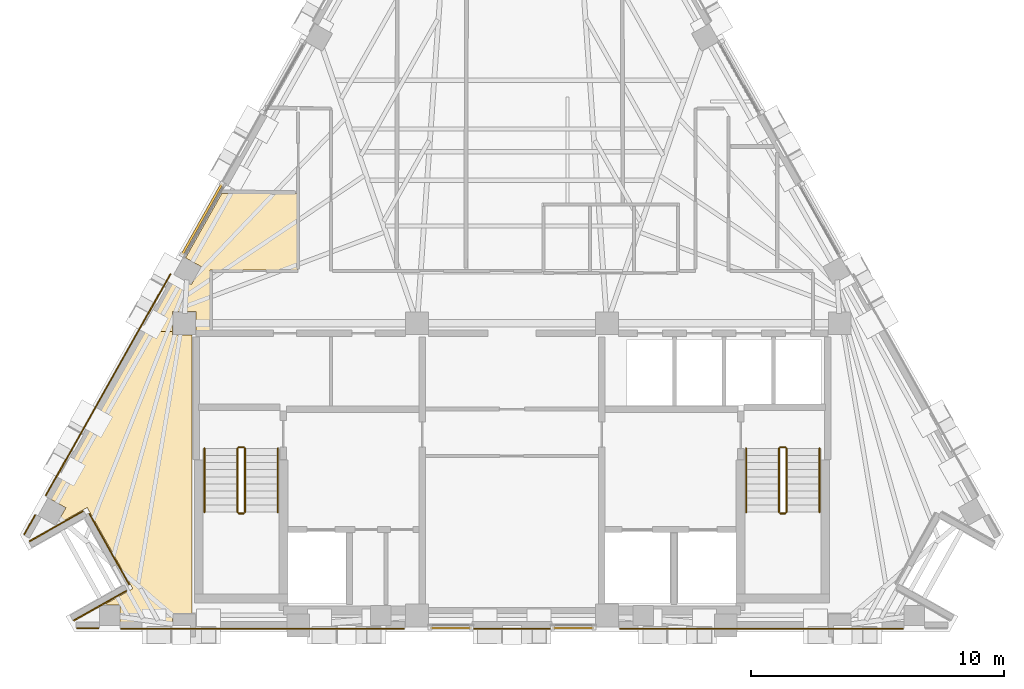
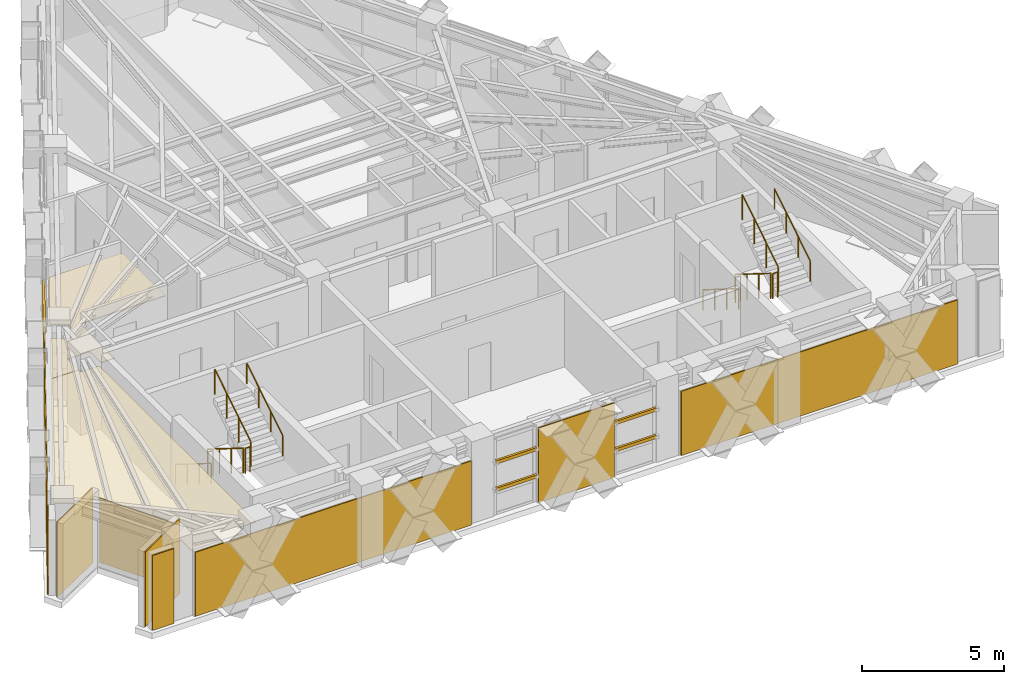
# One storey, part 9 of 10: 12 railings, 11 coverings, 6 shading devices.
"""IFC4 building model written with IfcOpenShell, lengths in metres."""

from ifc_helpers import new_model, si_unit, direction, frame, origin, origin_2d, place, context, subcontext, project, spatial, polyline, rectangle, circle, outline, extrude, material, layer, layer_set, material_profile, profile_set, type_object, element, save


model = new_model("IFC4")

# Units and contexts
model_context = context("Model", 3, precision=1e-05, world=origin(), true_north=direction((0.0, 1.0)))
body_context = subcontext(model_context, "Body", "Model", "MODEL_VIEW")
ifc_project = project(units=[si_unit("LENGTHUNIT", "METRE"), si_unit("AREAUNIT", "SQUARE_METRE"), si_unit("VOLUMEUNIT", "CUBIC_METRE"), si_unit("PLANEANGLEUNIT", "RADIAN"), si_unit("MASSUNIT", "GRAM", prefix="KILO")], contexts=[model_context])

# Site, building, storey
site_placement = place(None, origin())
site = spatial("IfcSite", under=ifc_project, at=site_placement, CompositionType="ELEMENT")
building_placement = place(site_placement, origin())
building = spatial("IfcBuilding", under=site, at=building_placement, Name="Quenlor Broadcast Tower", CompositionType="ELEMENT")
storey_placement = place(building_placement, frame((0.0, 0.0, 232.39990234375)))
storey = spatial("IfcBuildingStorey", under=building, at=storey_placement, Name="L64", CompositionType="ELEMENT", Elevation=232.39990234375)

# Coverings
ifc_material_1 = material(Name="Acoustic Gypsum Board", Category="other")
ifc_layer_1 = layer(ifc_material_1, 0.0400390625)
ifc_layer_set_1 = layer_set([ifc_layer_1], Name="Broadcast Studio Spring Isolated Ceiling 40")
covering_type_1 = type_object("IfcCoveringType", Name="Broadcast Studio Spring Isolated Ceiling 40", PredefinedType="CEILING", material=ifc_layer_set_1)
covering_1_placement = place(storey_placement, frame((0.0, 0.0, 2.69970703125)))
element("IfcCovering", 1, at=covering_1_placement, inside=storey, type_object=covering_type_1, Name="L64 Acoustic Ceiling L64-29", PredefinedType="CEILING", context=body_context, shape_type="SweptSolid", body=[
    extrude(outline(polyline([(-13.295654296875, -2.930419921875), (-12.669921875, -3.2822265625), (-12.27001953125, -2.571044921875), (-12.895751953125, -2.218994140625), (-11.470458984375, 0.314697265625), (-8.47998046875, 0.314697265625), (-8.47998046875, -2.699951171875), (-11.929931640625, -2.699951171875), (-11.929931640625, -5.1201171875), (-12.491943359375, -5.1201171875), (-12.491943359375, -4.342041015625), (-13.407958984375, -4.342041015625), (-13.407958984375, -5.1201171875), (-14.52734375, -5.1201171875), (-13.295654296875, -2.930419921875)])), origin(), (0.0, 0.0, 1.0), 0.0400390625),
])
covering_2_placement = place(storey_placement, frame((0.0, 0.0, 2.69970703125)))
element("IfcCovering", 2, at=covering_2_placement, inside=storey, type_object=covering_type_1, Name="L64 Acoustic Ceiling L64-29-2", PredefinedType="CEILING", context=body_context, shape_type="SweptSolid", body=[
    extrude(outline(polyline([(-17.626708984375, -12.09423828125), (-18.25244140625, -11.7421875), (-14.52734375, -5.1201171875), (-13.407958984375, -5.1201171875), (-13.407958984375, -5.258056640625), (-12.64990234375, -5.258056640625), (-12.64990234375, -16.2919921875), (-13.407958984375, -16.2919921875), (-13.407958984375, -16.659912109375), (-15.489501953125, -16.659912109375), (-15.489501953125, -15.94189453125), (-16.1435546875, -15.94189453125), (-14.983642578125, -15.28955078125), (-16.785888671875, -12.085693359375), (-18.0087890625, -12.773681640625), (-17.626708984375, -12.09423828125)])), origin(), (0.0, 0.0, 1.0), 0.0400390625),
])

# Shading devices
ifc_material_2 = material(Name="Architectural Terracotta Ceramic", Category="masonry")
ifc_material_profile = material_profile(ifc_material_2, rectangle(XDim=0.090087890625, YDim=0.139892578125, at=origin_2d()))
ifc_profile_set = profile_set([ifc_material_profile], Name="Architectural Terracotta Ceramic BAG90x140")
shading_device_type = type_object("IfcShadingDeviceType", Name="Copper Terracotta Baguette Solar Screen 140", PredefinedType="USERDEFINED", material=ifc_profile_set)
for number, where, z_axis, x_axis, name in (
    (3, (3.24755859375, -16.843017578125, 1.170166015625), (-1.0, 0.0, 0.0), (0.0, -1.0, 0.0), "L64 Terracotta Baguette Screen 1"),
    (4, (3.24755859375, -16.843017578125, 2.340087890625), (-1.0, 0.0, 0.0), (0.0, -1.0, 0.0), "L64 Terracotta Baguette Screen 2"),
    (5, (-1.60400390625, -16.843017578125, 1.170166015625), (-1.0, 0.0, 0.0), (0.0, -1.0, 0.0), "L64 Terracotta Baguette Screen 1"),
    (6, (-1.60400390625, -16.843017578125, 2.340087890625), (-1.0, 0.0, 0.0), (0.0, -1.0, 0.0), "L64 Terracotta Baguette Screen 2"),
):
    element("IfcShadingDevice", number, at=place(storey_placement, frame(where, z_axis=z_axis, x_axis=x_axis)), inside=storey, type_object=shading_device_type, Name=name, ObjectType="BAGUETTE", PredefinedType="USERDEFINED", context=body_context, shape_type="SweptSolid", body=[
        extrude(rectangle(XDim=0.090087890625, YDim=0.139892578125, at=origin_2d()), origin(), (0.0, 0.0, 1.0), 1.6435546875),
    ])
for number, where, z_axis, x_axis, name in (
    (7, (-13.033203125, -2.090576171875, 1.170166015625), (0.490203442487, 0.871608045496, 0.0), (-0.871608045496, 0.490203442487, 0.0), "L64 Terracotta Baguette Screen 1"),
    (8, (-13.033203125, -2.090576171875, 2.340087890625), (0.490203442487, 0.871608045496, 0.0), (-0.871608045496, 0.490203442487, 0.0), "L64 Terracotta Baguette Screen 2"),
):
    element("IfcShadingDevice", number, at=place(storey_placement, frame(where, z_axis=z_axis, x_axis=x_axis)), inside=storey, type_object=shading_device_type, Name=name, ObjectType="BAGUETTE", PredefinedType="USERDEFINED", context=body_context, shape_type="SweptSolid", body=[
        extrude(rectangle(XDim=0.090087890625, YDim=0.139892578125, at=origin_2d()), origin(), (0.0, 0.0, 1.0), 3.208984375),
    ])

# Coverings
ifc_material_3 = material(Name="Architectural Terracotta Ceramic", Category="masonry")
ifc_layer_2 = layer(ifc_material_3, 0.044921875)
ifc_layer_set_2 = layer_set([ifc_layer_2], Name="Fluted Terracotta Rainscreen Cladding Panel")
covering_type_2 = type_object("IfcCoveringType", Name="Fluted Terracotta Rainscreen Cladding Panel", PredefinedType="CLADDING", material=ifc_layer_set_2)
covering_3_placement = place(storey_placement, frame((0.0, 0.0, 0.02001953125)))
element("IfcCovering", 9, at=covering_3_placement, inside=storey, type_object=covering_type_2, Name="L64 Terracotta Rainscreen Cladding L64-SHD-SS1", PredefinedType="CLADDING", context=body_context, shape_type="SweptSolid", body=[
    extrude(outline(polyline([(-16.33251953125, -16.8369140625), (-17.18994140625, -16.8369140625), (-17.18994140625, -16.882080078125), (-16.33251953125, -16.882080078125), (-16.33251953125, -16.8369140625)])), origin(), (0.0, 0.0, 1.0), 3.2099609375),
])
covering_4_placement = place(storey_placement, frame((0.0, 0.0, 0.02001953125)))
element("IfcCovering", 10, at=covering_4_placement, inside=storey, type_object=covering_type_2, Name="L64 Terracotta Rainscreen Cladding L64-EW-SA", PredefinedType="CLADDING", context=body_context, shape_type="SweptSolid", body=[
    extrude(outline(polyline([(15.462646484375, -16.846923828125), (4.25, -16.846923828125), (4.25, -16.89208984375), (15.462646484375, -16.89208984375), (15.462646484375, -16.846923828125)])), origin(), (0.0, 0.0, 1.0), 2.749755859375),
])
covering_5_placement = place(storey_placement, frame((0.0, 0.0, 0.02001953125)))
element("IfcCovering", 11, at=covering_5_placement, inside=storey, type_object=covering_type_2, Name="L64 Terracotta Rainscreen Cladding L64-EW-SC", PredefinedType="CLADDING", context=body_context, shape_type="SweptSolid", body=[
    extrude(outline(polyline([(-4.25, -16.846923828125), (-15.462646484375, -16.846923828125), (-15.462646484375, -16.89208984375), (-4.25, -16.89208984375), (-4.25, -16.846923828125)])), origin(), (0.0, 0.0, 1.0), 2.749755859375),
])
covering_6_placement = place(storey_placement, frame((0.0, 0.0, 0.02001953125)))
element("IfcCovering", 12, at=covering_6_placement, inside=storey, type_object=covering_type_2, Name="L64 Terracotta Rainscreen Cladding L64-S-SP1", PredefinedType="CLADDING", context=body_context, shape_type="SweptSolid", body=[
    extrude(outline(polyline([(1.54150390625, -16.846923828125), (-1.54150390625, -16.846923828125), (-1.54150390625, -16.89208984375), (1.54150390625, -16.89208984375), (1.54150390625, -16.846923828125)])), origin(), (0.0, 0.0, 1.0), 3.2099609375),
])
covering_7_placement = place(storey_placement, frame((0.0, 0.0, 0.02001953125)))
element("IfcCovering", 13, at=covering_7_placement, inside=storey, type_object=covering_type_2, Name="L64 Terracotta Rainscreen Cladding L64-SHD-NWS0", PredefinedType="CLADDING", context=body_context, shape_type="SweptSolid", body=[
    extrude(outline(polyline([(-19.25390625, -13.161376953125), (-18.820068359375, -12.39013671875), (-18.859130859375, -12.3681640625), (-19.29296875, -13.139404296875), (-19.25390625, -13.161376953125)])), origin(), (0.0, 0.0, 1.0), 3.2099609375),
])
covering_8_placement = place(storey_placement, frame((0.0, 0.0, 0.02001953125)))
element("IfcCovering", 14, at=covering_8_placement, inside=storey, type_object=covering_type_2, Name="L64 Terracotta Rainscreen Cladding L64-EW-NWA", PredefinedType="CLADDING", context=body_context, shape_type="SweptSolid", body=[
    extrude(outline(polyline([(-18.402099609375, -11.626953125), (-13.471923828125, -2.862060546875), (-13.51123046875, -2.840087890625), (-18.44140625, -11.60498046875), (-18.402099609375, -11.626953125)])), origin(), (0.0, 0.0, 1.0), 3.2099609375),
])
covering_9_placement = place(storey_placement, frame((0.0, 0.0, 0.02001953125)))
element("IfcCovering", 15, at=covering_9_placement, inside=storey, type_object=covering_type_2, Name="L64 Terracotta Rainscreen Cladding L64-CNR-13", PredefinedType="CLADDING", context=body_context, shape_type="SweptSolid", body=[
    extrude(outline(polyline([(-19.062255859375, -13.444091796875), (-16.935546875, -12.247802734375), (-16.95751953125, -12.208740234375), (-19.084228515625, -13.405029296875), (-19.062255859375, -13.444091796875)])), origin(), (0.0, 0.0, 1.0), 3.2099609375),
])
covering_10_placement = place(storey_placement, frame((0.0, 0.0, 0.02001953125)))
element("IfcCovering", 16, at=covering_10_placement, inside=storey, type_object=covering_type_2, Name="L64 Terracotta Rainscreen Cladding L64-CNR-14", PredefinedType="CLADDING", context=body_context, shape_type="SweptSolid", body=[
    extrude(outline(polyline([(-16.72265625, -12.3369140625), (-15.14599609375, -15.139892578125), (-15.106689453125, -15.117919921875), (-16.683349609375, -12.31494140625), (-16.72265625, -12.3369140625)])), origin(), (0.0, 0.0, 1.0), 2.749755859375),
])
covering_11_placement = place(storey_placement, frame((0.0, 0.0, 0.02001953125)))
element("IfcCovering", 17, at=covering_11_placement, inside=storey, type_object=covering_type_2, Name="L64 Terracotta Rainscreen Cladding L64-CNR-15", PredefinedType="CLADDING", context=body_context, shape_type="SweptSolid", body=[
    extrude(outline(polyline([(-15.23486328125, -15.352783203125), (-17.32666015625, -16.529541015625), (-17.3046875, -16.568603515625), (-15.212890625, -15.39208984375), (-15.23486328125, -15.352783203125)])), origin(), (0.0, 0.0, 1.0), 3.2099609375),
])

# Railings
ifc_material_4 = material(Name="Anodised Aluminium", Category="aluminium")
railing_type_1 = type_object("IfcRailingType", Name="Stainless Aluminium Wall Handrail 900", PredefinedType="HANDRAIL", material=ifc_material_4)
railing_1_placement = place(storey_placement, frame((-12.14990234375, -9.75, 0.175048828125)))
element("IfcRailing", 18, at=railing_1_placement, inside=storey, type_object=railing_type_1, Name="L64 ST-1 stair handrail 1", PredefinedType="HANDRAIL", context=body_context, shape_type="SweptSolid", body=[
    extrude(circle(Radius=0.02392578125, at=origin_2d()), frame((0.0, 0.0, 0.8759765625), z_axis=(0.0, -0.848007534815, 0.529984170421), x_axis=(1.0, 0.0, 0.0)), (0.0, 0.0, 1.0), 2.9716796875),
    extrude(circle(Radius=0.02099609375, at=origin_2d()), origin(), (0.0, 0.0, 1.0), 0.851806640625),
    extrude(circle(Radius=0.02099609375, at=origin_2d()), frame((0.0, -0.840087890625, 0.52490234375)), (0.0, 0.0, 1.0), 0.851806640625),
    extrude(circle(Radius=0.02099609375, at=origin_2d()), frame((0.0, -1.679931640625, 1.050048828125)), (0.0, 0.0, 1.0), 0.851806640625),
    extrude(circle(Radius=0.02099609375, at=origin_2d()), frame((0.0, -2.52001953125, 1.574951171875)), (0.0, 0.0, 1.0), 0.851806640625),
])
railing_2_placement = place(storey_placement, frame((-9.25, -12.27001953125, 1.925048828125)))
element("IfcRailing", 19, at=railing_2_placement, inside=storey, type_object=railing_type_1, Name="L64 ST-1 stair handrail 2", PredefinedType="HANDRAIL", context=body_context, shape_type="SweptSolid", body=[
    extrude(circle(Radius=0.02392578125, at=origin_2d()), frame((0.0, 0.0, 0.8759765625), z_axis=(0.0, 0.848007534815, 0.529984170421), x_axis=(-1.0, 0.0, 0.0)), (0.0, 0.0, 1.0), 2.9716796875),
    extrude(circle(Radius=0.02099609375, at=origin_2d()), origin(), (0.0, 0.0, 1.0), 0.851806640625),
    extrude(circle(Radius=0.02099609375, at=origin_2d()), frame((0.0, 0.840087890625, 0.52490234375)), (0.0, 0.0, 1.0), 0.851806640625),
    extrude(circle(Radius=0.02099609375, at=origin_2d()), frame((0.0, 1.679931640625, 1.050048828125)), (0.0, 0.0, 1.0), 0.851806640625),
    extrude(circle(Radius=0.02099609375, at=origin_2d()), frame((0.0, 2.52001953125, 1.574951171875)), (0.0, 0.0, 1.0), 0.851806640625),
])
railing_3_placement = place(storey_placement, frame((9.25, -9.75, 0.175048828125)))
element("IfcRailing", 20, at=railing_3_placement, inside=storey, type_object=railing_type_1, Name="L64 ST-2 stair handrail 1", PredefinedType="HANDRAIL", context=body_context, shape_type="SweptSolid", body=[
    extrude(circle(Radius=0.02392578125, at=origin_2d()), frame((0.0, 0.0, 0.8759765625), z_axis=(0.0, -0.848007534815, 0.529984170421), x_axis=(1.0, 0.0, 0.0)), (0.0, 0.0, 1.0), 2.9716796875),
    extrude(circle(Radius=0.02099609375, at=origin_2d()), origin(), (0.0, 0.0, 1.0), 0.851806640625),
    extrude(circle(Radius=0.02099609375, at=origin_2d()), frame((0.0, -0.840087890625, 0.52490234375)), (0.0, 0.0, 1.0), 0.851806640625),
    extrude(circle(Radius=0.02099609375, at=origin_2d()), frame((0.0, -1.679931640625, 1.050048828125)), (0.0, 0.0, 1.0), 0.851806640625),
    extrude(circle(Radius=0.02099609375, at=origin_2d()), frame((0.0, -2.52001953125, 1.574951171875)), (0.0, 0.0, 1.0), 0.851806640625),
])
railing_4_placement = place(storey_placement, frame((12.14990234375, -12.27001953125, 1.925048828125)))
element("IfcRailing", 21, at=railing_4_placement, inside=storey, type_object=railing_type_1, Name="L64 ST-2 stair handrail 2", PredefinedType="HANDRAIL", context=body_context, shape_type="SweptSolid", body=[
    extrude(circle(Radius=0.02392578125, at=origin_2d()), frame((0.0, 0.0, 0.8759765625), z_axis=(0.0, 0.848007534815, 0.529984170421), x_axis=(-1.0, 0.0, 0.0)), (0.0, 0.0, 1.0), 2.9716796875),
    extrude(circle(Radius=0.02099609375, at=origin_2d()), origin(), (0.0, 0.0, 1.0), 0.851806640625),
    extrude(circle(Radius=0.02099609375, at=origin_2d()), frame((0.0, 0.840087890625, 0.52490234375)), (0.0, 0.0, 1.0), 0.851806640625),
    extrude(circle(Radius=0.02099609375, at=origin_2d()), frame((0.0, 1.679931640625, 1.050048828125)), (0.0, 0.0, 1.0), 0.851806640625),
    extrude(circle(Radius=0.02099609375, at=origin_2d()), frame((0.0, 2.52001953125, 1.574951171875)), (0.0, 0.0, 1.0), 0.851806640625),
])
ifc_material_5 = material(Name="Steel S355", Category="steel")
railing_type_2 = type_object("IfcRailingType", Name="Tubular Steel S355 Stair Guardrail 1100", PredefinedType="BALUSTRADE", material=ifc_material_5)
railing_5_placement = place(storey_placement, frame((-10.85009765625, -9.75, 0.175048828125)))
element("IfcRailing", 22, at=railing_5_placement, inside=storey, type_object=railing_type_2, Name="L64 ST-1 stair guard 1", PredefinedType="BALUSTRADE", context=body_context, shape_type="SweptSolid", body=[
    extrude(circle(Radius=0.02392578125, at=origin_2d()), frame((0.0, 0.0, 1.076171875), z_axis=(0.0, -0.848007534815, 0.529984170421), x_axis=(1.0, 0.0, 0.0)), (0.0, 0.0, 1.0), 2.9716796875),
    extrude(circle(Radius=0.02099609375, at=origin_2d()), origin(), (0.0, 0.0, 1.0), 1.052001953125),
    extrude(circle(Radius=0.02099609375, at=origin_2d()), frame((0.0, -0.840087890625, 0.52490234375)), (0.0, 0.0, 1.0), 1.052001953125),
    extrude(circle(Radius=0.02099609375, at=origin_2d()), frame((0.0, -1.679931640625, 1.050048828125)), (0.0, 0.0, 1.0), 1.052001953125),
    extrude(circle(Radius=0.02099609375, at=origin_2d()), frame((0.0, -2.52001953125, 1.574951171875)), (0.0, 0.0, 1.0), 1.052001953125),
])
railing_6_placement = place(storey_placement, frame((-10.800048828125, -12.320068359375, 1.75)))
element("IfcRailing", 23, at=railing_6_placement, inside=storey, type_object=railing_type_2, Name="L64 ST-1 stair guard 2", PredefinedType="BALUSTRADE", context=body_context, shape_type="SweptSolid", body=[
    extrude(circle(Radius=0.02392578125, at=origin_2d()), frame((0.0, 0.0, 1.076171875), z_axis=(1.0, 0.0, 0.0), x_axis=(0.0, 1.0, 0.0)), (0.0, 0.0, 1.0), 0.199951171875),
    extrude(circle(Radius=0.02099609375, at=origin_2d()), origin(), (0.0, 0.0, 1.0), 1.052001953125),
    extrude(circle(Radius=0.02099609375, at=origin_2d()), frame((0.199951171875, 0.0, 0.0)), (0.0, 0.0, 1.0), 1.052001953125),
])
railing_7_placement = place(storey_placement, frame((-10.550048828125, -12.27001953125, 1.925048828125)))
element("IfcRailing", 24, at=railing_7_placement, inside=storey, type_object=railing_type_2, Name="L64 ST-1 stair guard 3", PredefinedType="BALUSTRADE", context=body_context, shape_type="SweptSolid", body=[
    extrude(circle(Radius=0.02392578125, at=origin_2d()), frame((0.0, 0.0, 1.076171875), z_axis=(0.0, 0.848007534815, 0.529984170421), x_axis=(-1.0, 0.0, 0.0)), (0.0, 0.0, 1.0), 2.9716796875),
    extrude(circle(Radius=0.02099609375, at=origin_2d()), origin(), (0.0, 0.0, 1.0), 1.052001953125),
    extrude(circle(Radius=0.02099609375, at=origin_2d()), frame((0.0, 0.840087890625, 0.52490234375)), (0.0, 0.0, 1.0), 1.052001953125),
    extrude(circle(Radius=0.02099609375, at=origin_2d()), frame((0.0, 1.679931640625, 1.050048828125)), (0.0, 0.0, 1.0), 1.052001953125),
    extrude(circle(Radius=0.02099609375, at=origin_2d()), frame((0.0, 2.52001953125, 1.574951171875)), (0.0, 0.0, 1.0), 1.052001953125),
])
railing_8_placement = place(storey_placement, frame((-10.800048828125, -9.699951171875, 0.0)))
element("IfcRailing", 25, at=railing_8_placement, inside=storey, type_object=railing_type_2, Name="L64 ST-1 stair guard 4", PredefinedType="BALUSTRADE", context=body_context, shape_type="SweptSolid", body=[
    extrude(circle(Radius=0.02392578125, at=origin_2d()), frame((0.0, 0.0, 1.076171875), z_axis=(1.0, 0.0, 0.0), x_axis=(0.0, 1.0, 0.0)), (0.0, 0.0, 1.0), 0.199951171875),
    extrude(circle(Radius=0.02099609375, at=origin_2d()), origin(), (0.0, 0.0, 1.0), 1.052001953125),
    extrude(circle(Radius=0.02099609375, at=origin_2d()), frame((0.199951171875, 0.0, 0.0)), (0.0, 0.0, 1.0), 1.052001953125),
])
railing_9_placement = place(storey_placement, frame((10.550048828125, -9.75, 0.175048828125)))
element("IfcRailing", 26, at=railing_9_placement, inside=storey, type_object=railing_type_2, Name="L64 ST-2 stair guard 1", PredefinedType="BALUSTRADE", context=body_context, shape_type="SweptSolid", body=[
    extrude(circle(Radius=0.02392578125, at=origin_2d()), frame((0.0, 0.0, 1.076171875), z_axis=(0.0, -0.848007534815, 0.529984170421), x_axis=(1.0, 0.0, 0.0)), (0.0, 0.0, 1.0), 2.9716796875),
    extrude(circle(Radius=0.02099609375, at=origin_2d()), origin(), (0.0, 0.0, 1.0), 1.052001953125),
    extrude(circle(Radius=0.02099609375, at=origin_2d()), frame((0.0, -0.840087890625, 0.52490234375)), (0.0, 0.0, 1.0), 1.052001953125),
    extrude(circle(Radius=0.02099609375, at=origin_2d()), frame((0.0, -1.679931640625, 1.050048828125)), (0.0, 0.0, 1.0), 1.052001953125),
    extrude(circle(Radius=0.02099609375, at=origin_2d()), frame((0.0, -2.52001953125, 1.574951171875)), (0.0, 0.0, 1.0), 1.052001953125),
])
railing_10_placement = place(storey_placement, frame((10.60009765625, -12.320068359375, 1.75)))
element("IfcRailing", 27, at=railing_10_placement, inside=storey, type_object=railing_type_2, Name="L64 ST-2 stair guard 2", PredefinedType="BALUSTRADE", context=body_context, shape_type="SweptSolid", body=[
    extrude(circle(Radius=0.02392578125, at=origin_2d()), frame((0.0, 0.0, 1.076171875), z_axis=(1.0, 0.0, 0.0), x_axis=(0.0, 1.0, 0.0)), (0.0, 0.0, 1.0), 0.199951171875),
    extrude(circle(Radius=0.02099609375, at=origin_2d()), origin(), (0.0, 0.0, 1.0), 1.052001953125),
    extrude(circle(Radius=0.02099609375, at=origin_2d()), frame((0.199951171875, 0.0, 0.0)), (0.0, 0.0, 1.0), 1.052001953125),
])
railing_11_placement = place(storey_placement, frame((10.85009765625, -12.27001953125, 1.925048828125)))
element("IfcRailing", 28, at=railing_11_placement, inside=storey, type_object=railing_type_2, Name="L64 ST-2 stair guard 3", PredefinedType="BALUSTRADE", context=body_context, shape_type="SweptSolid", body=[
    extrude(circle(Radius=0.02392578125, at=origin_2d()), frame((0.0, 0.0, 1.076171875), z_axis=(0.0, 0.848007534815, 0.529984170421), x_axis=(-1.0, 0.0, 0.0)), (0.0, 0.0, 1.0), 2.9716796875),
    extrude(circle(Radius=0.02099609375, at=origin_2d()), origin(), (0.0, 0.0, 1.0), 1.052001953125),
    extrude(circle(Radius=0.02099609375, at=origin_2d()), frame((0.0, 0.840087890625, 0.52490234375)), (0.0, 0.0, 1.0), 1.052001953125),
    extrude(circle(Radius=0.02099609375, at=origin_2d()), frame((0.0, 1.679931640625, 1.050048828125)), (0.0, 0.0, 1.0), 1.052001953125),
    extrude(circle(Radius=0.02099609375, at=origin_2d()), frame((0.0, 2.52001953125, 1.574951171875)), (0.0, 0.0, 1.0), 1.052001953125),
])
railing_12_placement = place(storey_placement, frame((10.60009765625, -9.699951171875, 0.0)))
element("IfcRailing", 29, at=railing_12_placement, inside=storey, type_object=railing_type_2, Name="L64 ST-2 stair guard 4", PredefinedType="BALUSTRADE", context=body_context, shape_type="SweptSolid", body=[
    extrude(circle(Radius=0.02392578125, at=origin_2d()), frame((0.0, 0.0, 1.076171875), z_axis=(1.0, 0.0, 0.0), x_axis=(0.0, 1.0, 0.0)), (0.0, 0.0, 1.0), 0.199951171875),
    extrude(circle(Radius=0.02099609375, at=origin_2d()), origin(), (0.0, 0.0, 1.0), 1.052001953125),
    extrude(circle(Radius=0.02099609375, at=origin_2d()), frame((0.199951171875, 0.0, 0.0)), (0.0, 0.0, 1.0), 1.052001953125),
])

save(model, "model.ifc")
